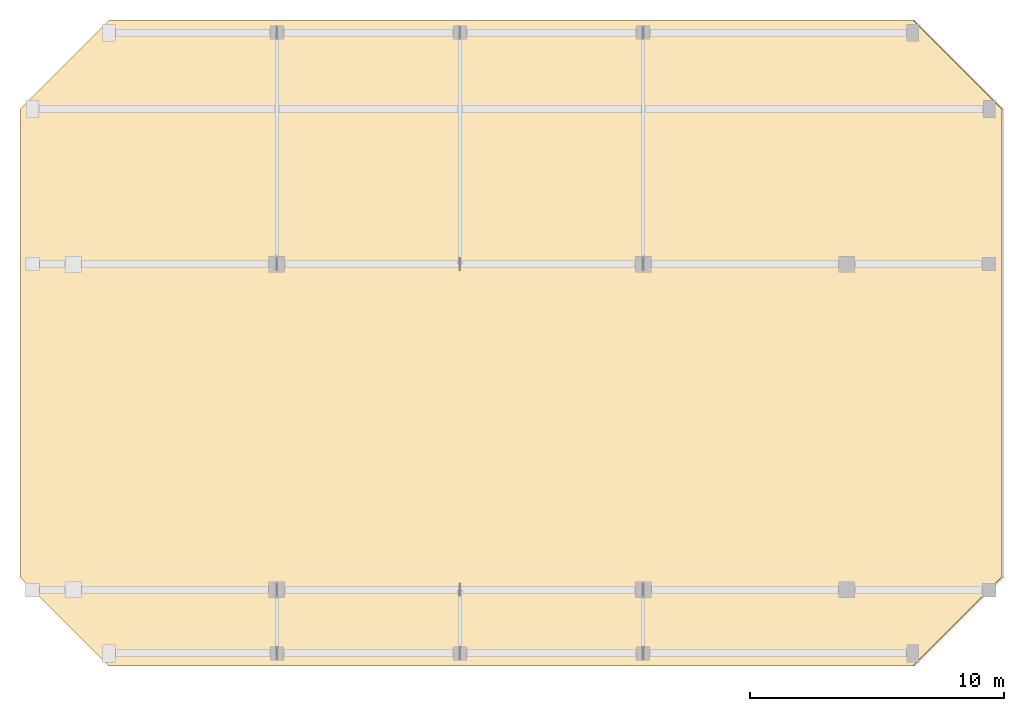
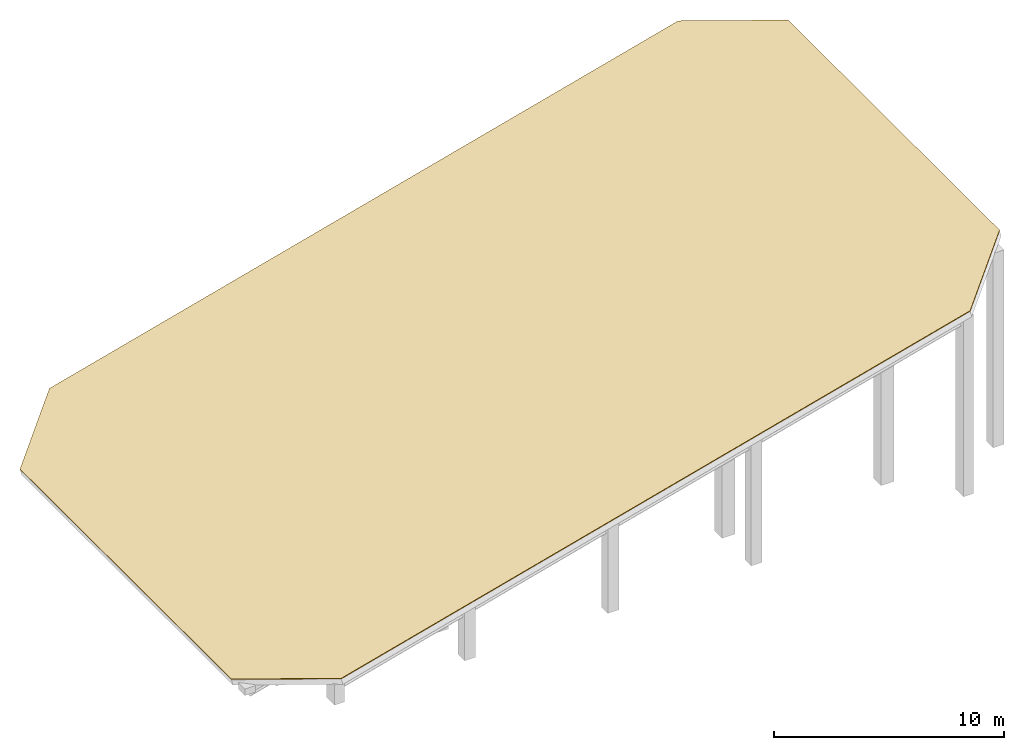
# One storey, part 3 of 3: 1 covering.
"""IFC4 building model written with IfcOpenShell, lengths in metres."""

from ifc_helpers import new_model, si_unit, direction, frame, origin, place, context, subcontext, project, spatial, polyline, outline, extrude, material, layer, layer_set, type_object, element, save


model = new_model("IFC4")

# Units and contexts
model_context = context("Model", 3, precision=1e-05, world=origin(), true_north=direction((0.0, 1.0)))
body_context = subcontext(model_context, "Body", "Model", "MODEL_VIEW")
ifc_project = project(units=[si_unit("LENGTHUNIT", "METRE"), si_unit("AREAUNIT", "SQUARE_METRE"), si_unit("VOLUMEUNIT", "CUBIC_METRE"), si_unit("PLANEANGLEUNIT", "RADIAN"), si_unit("MASSUNIT", "GRAM", prefix="KILO")], contexts=[model_context])

# Site, building, storey
site_placement = place(None, origin())
site = spatial("IfcSite", under=ifc_project, at=site_placement, CompositionType="ELEMENT")
building_placement = place(site_placement, origin())
building = spatial("IfcBuilding", under=site, at=building_placement, Name="Kranthara Brick Stack", CompositionType="ELEMENT")
storey_placement = place(building_placement, frame((0.0, 0.0, 313.199951171875)))
storey = spatial("IfcBuildingStorey", under=building, at=storey_placement, Name="RF", CompositionType="ELEMENT", Elevation=313.199951171875)

# Covering
ifc_material = material(Name="EPDM waterproofing membrane and rigid insulation", Category="other")
ifc_layer = layer(ifc_material, 0.0400390625)
ifc_layer_set = layer_set([ifc_layer], Name="EPDM waterproofing membrane and rigid insulation")
covering_type = type_object("IfcCoveringType", Name="COV-ROOF-MEMB", PredefinedType="ROOFING", material=ifc_layer_set)
covering_placement = place(storey_placement, frame((14.199951171875, 17.800048828125, 1.427978515625), z_axis=(-0.258816562051, 0.0, 0.965926491617), x_axis=(0.965926491617, 0.0, 0.258816562051)))
element("IfcCovering", 1, at=covering_placement, inside=storey, type_object=covering_type, Name="RF Slanted Crown Roof Waterproofing Membrane", PredefinedType="ROOFING", context=body_context, shape_type="SweptSolid", body=[
    extrude(outline(polyline([(0.0, 0.0), (32.71478191027442, 0.0), (36.33822834549499, 3.5), (36.33822834549499, 21.89990234375), (32.71478191027442, 25.39990234375), (0.0, 25.39990234375), (-3.6235096228577928, 21.89990234375), (-3.6235096228577928, 3.5), (0.0, 0.0)])), origin(), (0.0, 0.0, -1.0), 0.0400390625),
])

save(model, "model.ifc")
